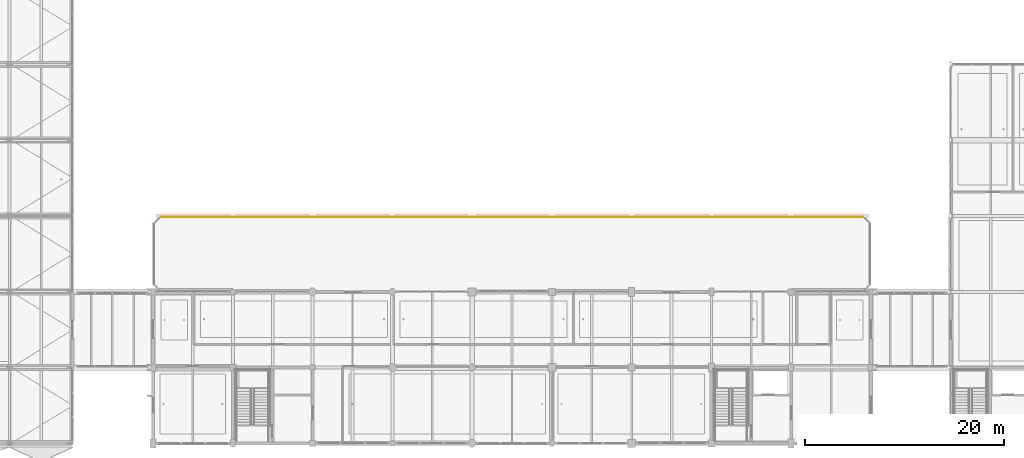
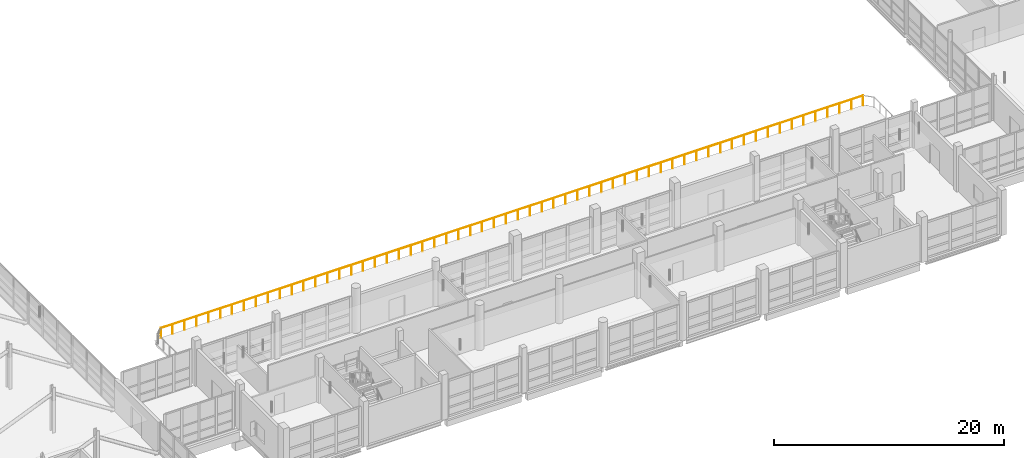
# One storey, part 136 of 147: 1 railing.
"""IFC4 building model written with IfcOpenShell, lengths in metres."""

from ifc_helpers import new_model, si_unit, direction, frame, origin, origin_2d, place, context, subcontext, project, spatial, circle, extrude, material, type_object, element, save


model = new_model("IFC4")

# Units and contexts
model_context = context("Model", 3, precision=1e-05, world=origin(), true_north=direction((0.0, 1.0)))
body_context = subcontext(model_context, "Body", "Model", "MODEL_VIEW")
ifc_project = project(units=[si_unit("LENGTHUNIT", "METRE"), si_unit("AREAUNIT", "SQUARE_METRE"), si_unit("VOLUMEUNIT", "CUBIC_METRE"), si_unit("PLANEANGLEUNIT", "RADIAN"), si_unit("MASSUNIT", "GRAM", prefix="KILO")], contexts=[model_context])

# Site, building, storey
site_placement = place(None, origin())
site = spatial("IfcSite", under=ifc_project, at=site_placement, CompositionType="ELEMENT")
building_placement = place(site_placement, origin())
building = spatial("IfcBuilding", under=site, at=building_placement, Name="Khelvaren Railside Concert Hall", CompositionType="ELEMENT")
storey_placement = place(building_placement, frame((0.0, 0.0, 5.39990234375)))
storey = spatial("IfcBuildingStorey", under=building, at=storey_placement, Name="L01", CompositionType="ELEMENT", Elevation=5.39990234375)

# Railing
ifc_material = material(Name="Architectural stainless steel Grade 316", Category="steel")
railing_type = type_object("IfcRailingType", Name="BAL77", PredefinedType="BALUSTRADE", material=ifc_material)
railing_placement = place(storey_placement, frame((135.219970703125, 22.719970703125, 0.0)))
element("IfcRailing", 1, at=railing_placement, inside=storey, type_object=railing_type, Name="Terrace Perimeter Balustrade V3-L01-N", PredefinedType="BALUSTRADE", context=body_context, shape_type="SweptSolid", body=[
    extrude(circle(Radius=0.02392578125, at=origin_2d()), frame((0.0, 0.0, 1.076171875), z_axis=(-1.0, 0.0, 0.0), x_axis=(0.0, -1.0, 0.0)), (0.0, 0.0, 1.0), 70.43994140625),
    extrude(circle(Radius=0.02099609375, at=origin_2d()), origin(), (0.0, 0.0, 1.0), 1.052001953125),
    extrude(circle(Radius=0.02099609375, at=origin_2d()), frame((-1.19384765625, 0.0, 0.0)), (0.0, 0.0, 1.0), 1.052001953125),
    extrude(circle(Radius=0.02099609375, at=origin_2d()), frame((-2.3876953125, 0.0, 0.0)), (0.0, 0.0, 1.0), 1.052001953125),
    extrude(circle(Radius=0.02099609375, at=origin_2d()), frame((-3.581787109375, 0.0, 0.0)), (0.0, 0.0, 1.0), 1.052001953125),
    extrude(circle(Radius=0.02099609375, at=origin_2d()), frame((-4.775634765625, 0.0, 0.0)), (0.0, 0.0, 1.0), 1.052001953125),
    extrude(circle(Radius=0.02099609375, at=origin_2d()), frame((-5.969482421875, 0.0, 0.0)), (0.0, 0.0, 1.0), 1.052001953125),
    extrude(circle(Radius=0.02099609375, at=origin_2d()), frame((-7.163330078125, 0.0, 0.0)), (0.0, 0.0, 1.0), 1.052001953125),
    extrude(circle(Radius=0.02099609375, at=origin_2d()), frame((-8.357177734375, 0.0, 0.0)), (0.0, 0.0, 1.0), 1.052001953125),
    extrude(circle(Radius=0.02099609375, at=origin_2d()), frame((-9.55126953125, 0.0, 0.0)), (0.0, 0.0, 1.0), 1.052001953125),
    extrude(circle(Radius=0.02099609375, at=origin_2d()), frame((-10.7451171875, 0.0, 0.0)), (0.0, 0.0, 1.0), 1.052001953125),
    extrude(circle(Radius=0.02099609375, at=origin_2d()), frame((-11.93896484375, 0.0, 0.0)), (0.0, 0.0, 1.0), 1.052001953125),
    extrude(circle(Radius=0.02099609375, at=origin_2d()), frame((-13.1328125, 0.0, 0.0)), (0.0, 0.0, 1.0), 1.052001953125),
    extrude(circle(Radius=0.02099609375, at=origin_2d()), frame((-14.32666015625, 0.0, 0.0)), (0.0, 0.0, 1.0), 1.052001953125),
    extrude(circle(Radius=0.02099609375, at=origin_2d()), frame((-15.520751953125, 0.0, 0.0)), (0.0, 0.0, 1.0), 1.052001953125),
    extrude(circle(Radius=0.02099609375, at=origin_2d()), frame((-16.714599609375, 0.0, 0.0)), (0.0, 0.0, 1.0), 1.052001953125),
    extrude(circle(Radius=0.02099609375, at=origin_2d()), frame((-17.908447265625, 0.0, 0.0)), (0.0, 0.0, 1.0), 1.052001953125),
    extrude(circle(Radius=0.02099609375, at=origin_2d()), frame((-19.102294921875, 0.0, 0.0)), (0.0, 0.0, 1.0), 1.052001953125),
    extrude(circle(Radius=0.02099609375, at=origin_2d()), frame((-20.296142578125, 0.0, 0.0)), (0.0, 0.0, 1.0), 1.052001953125),
    extrude(circle(Radius=0.02099609375, at=origin_2d()), frame((-21.490234375, 0.0, 0.0)), (0.0, 0.0, 1.0), 1.052001953125),
    extrude(circle(Radius=0.02099609375, at=origin_2d()), frame((-22.68408203125, 0.0, 0.0)), (0.0, 0.0, 1.0), 1.052001953125),
    extrude(circle(Radius=0.02099609375, at=origin_2d()), frame((-23.8779296875, 0.0, 0.0)), (0.0, 0.0, 1.0), 1.052001953125),
    extrude(circle(Radius=0.02099609375, at=origin_2d()), frame((-25.07177734375, 0.0, 0.0)), (0.0, 0.0, 1.0), 1.052001953125),
    extrude(circle(Radius=0.02099609375, at=origin_2d()), frame((-26.265625, 0.0, 0.0)), (0.0, 0.0, 1.0), 1.052001953125),
    extrude(circle(Radius=0.02099609375, at=origin_2d()), frame((-27.459716796875, 0.0, 0.0)), (0.0, 0.0, 1.0), 1.052001953125),
    extrude(circle(Radius=0.02099609375, at=origin_2d()), frame((-28.653564453125, 0.0, 0.0)), (0.0, 0.0, 1.0), 1.052001953125),
    extrude(circle(Radius=0.02099609375, at=origin_2d()), frame((-29.847412109375, 0.0, 0.0)), (0.0, 0.0, 1.0), 1.052001953125),
    extrude(circle(Radius=0.02099609375, at=origin_2d()), frame((-31.041259765625, 0.0, 0.0)), (0.0, 0.0, 1.0), 1.052001953125),
    extrude(circle(Radius=0.02099609375, at=origin_2d()), frame((-32.235107421875, 0.0, 0.0)), (0.0, 0.0, 1.0), 1.052001953125),
    extrude(circle(Radius=0.02099609375, at=origin_2d()), frame((-33.42919921875, 0.0, 0.0)), (0.0, 0.0, 1.0), 1.052001953125),
    extrude(circle(Radius=0.02099609375, at=origin_2d()), frame((-34.623046875, 0.0, 0.0)), (0.0, 0.0, 1.0), 1.052001953125),
    extrude(circle(Radius=0.02099609375, at=origin_2d()), frame((-35.81689453125, 0.0, 0.0)), (0.0, 0.0, 1.0), 1.052001953125),
    extrude(circle(Radius=0.02099609375, at=origin_2d()), frame((-37.0107421875, 0.0, 0.0)), (0.0, 0.0, 1.0), 1.052001953125),
    extrude(circle(Radius=0.02099609375, at=origin_2d()), frame((-38.204833984375, 0.0, 0.0)), (0.0, 0.0, 1.0), 1.052001953125),
    extrude(circle(Radius=0.02099609375, at=origin_2d()), frame((-39.398681640625, 0.0, 0.0)), (0.0, 0.0, 1.0), 1.052001953125),
    extrude(circle(Radius=0.02099609375, at=origin_2d()), frame((-40.592529296875, 0.0, 0.0)), (0.0, 0.0, 1.0), 1.052001953125),
    extrude(circle(Radius=0.02099609375, at=origin_2d()), frame((-41.786376953125, 0.0, 0.0)), (0.0, 0.0, 1.0), 1.052001953125),
    extrude(circle(Radius=0.02099609375, at=origin_2d()), frame((-42.980224609375, 0.0, 0.0)), (0.0, 0.0, 1.0), 1.052001953125),
    extrude(circle(Radius=0.02099609375, at=origin_2d()), frame((-44.17431640625, 0.0, 0.0)), (0.0, 0.0, 1.0), 1.052001953125),
    extrude(circle(Radius=0.02099609375, at=origin_2d()), frame((-45.3681640625, 0.0, 0.0)), (0.0, 0.0, 1.0), 1.052001953125),
    extrude(circle(Radius=0.02099609375, at=origin_2d()), frame((-46.56201171875, 0.0, 0.0)), (0.0, 0.0, 1.0), 1.052001953125),
    extrude(circle(Radius=0.02099609375, at=origin_2d()), frame((-47.755859375, 0.0, 0.0)), (0.0, 0.0, 1.0), 1.052001953125),
    extrude(circle(Radius=0.02099609375, at=origin_2d()), frame((-48.94970703125, 0.0, 0.0)), (0.0, 0.0, 1.0), 1.052001953125),
    extrude(circle(Radius=0.02099609375, at=origin_2d()), frame((-50.143798828125, 0.0, 0.0)), (0.0, 0.0, 1.0), 1.052001953125),
    extrude(circle(Radius=0.02099609375, at=origin_2d()), frame((-51.337646484375, 0.0, 0.0)), (0.0, 0.0, 1.0), 1.052001953125),
    extrude(circle(Radius=0.02099609375, at=origin_2d()), frame((-52.531494140625, 0.0, 0.0)), (0.0, 0.0, 1.0), 1.052001953125),
    extrude(circle(Radius=0.02099609375, at=origin_2d()), frame((-53.725341796875, 0.0, 0.0)), (0.0, 0.0, 1.0), 1.052001953125),
    extrude(circle(Radius=0.02099609375, at=origin_2d()), frame((-54.919189453125, 0.0, 0.0)), (0.0, 0.0, 1.0), 1.052001953125),
    extrude(circle(Radius=0.02099609375, at=origin_2d()), frame((-56.11328125, 0.0, 0.0)), (0.0, 0.0, 1.0), 1.052001953125),
    extrude(circle(Radius=0.02099609375, at=origin_2d()), frame((-57.30712890625, 0.0, 0.0)), (0.0, 0.0, 1.0), 1.052001953125),
    extrude(circle(Radius=0.02099609375, at=origin_2d()), frame((-58.5009765625, 0.0, 0.0)), (0.0, 0.0, 1.0), 1.052001953125),
    extrude(circle(Radius=0.02099609375, at=origin_2d()), frame((-59.69482421875, 0.0, 0.0)), (0.0, 0.0, 1.0), 1.052001953125),
    extrude(circle(Radius=0.02099609375, at=origin_2d()), frame((-60.888671875, 0.0, 0.0)), (0.0, 0.0, 1.0), 1.052001953125),
    extrude(circle(Radius=0.02099609375, at=origin_2d()), frame((-62.082763671875, 0.0, 0.0)), (0.0, 0.0, 1.0), 1.052001953125),
    extrude(circle(Radius=0.02099609375, at=origin_2d()), frame((-63.276611328125, 0.0, 0.0)), (0.0, 0.0, 1.0), 1.052001953125),
    extrude(circle(Radius=0.02099609375, at=origin_2d()), frame((-64.470458984375, 0.0, 0.0)), (0.0, 0.0, 1.0), 1.052001953125),
    extrude(circle(Radius=0.02099609375, at=origin_2d()), frame((-65.664306640625, 0.0, 0.0)), (0.0, 0.0, 1.0), 1.052001953125),
    extrude(circle(Radius=0.02099609375, at=origin_2d()), frame((-66.858154296875, 0.0, 0.0)), (0.0, 0.0, 1.0), 1.052001953125),
    extrude(circle(Radius=0.02099609375, at=origin_2d()), frame((-68.05224609375, 0.0, 0.0)), (0.0, 0.0, 1.0), 1.052001953125),
    extrude(circle(Radius=0.02099609375, at=origin_2d()), frame((-69.24609375, 0.0, 0.0)), (0.0, 0.0, 1.0), 1.052001953125),
    extrude(circle(Radius=0.02099609375, at=origin_2d()), frame((-70.43994140625, 0.0, 0.0)), (0.0, 0.0, 1.0), 1.052001953125),
])

save(model, "model.ifc")
